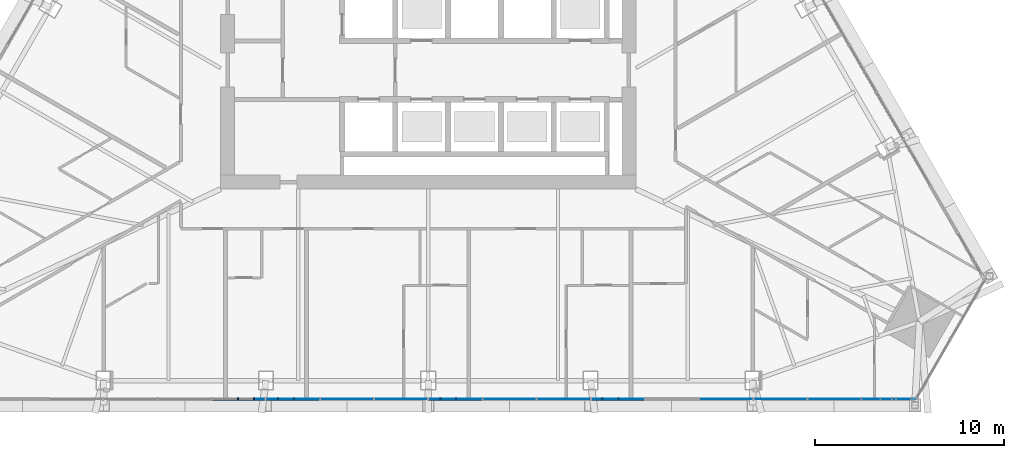
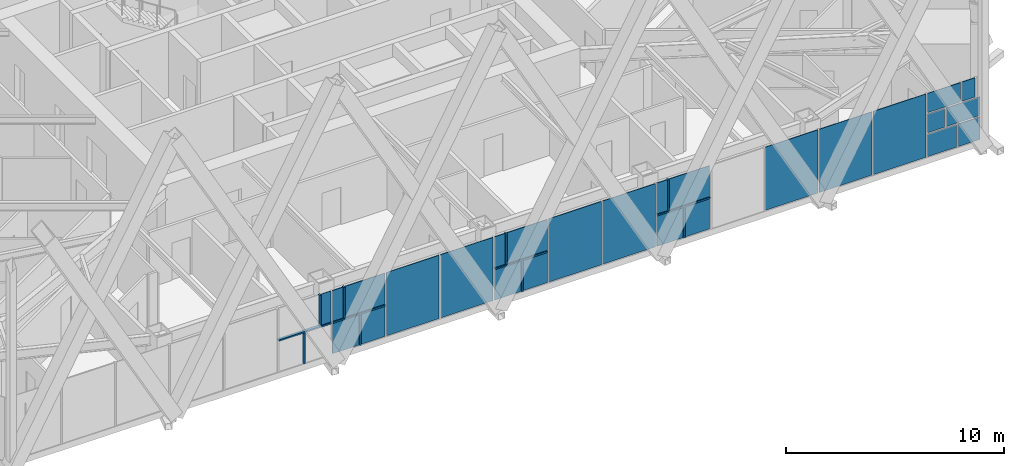
# One storey, part 6 of 23: 26 plates, 12 members, 2 openings, 1 element without a shape of its own.
"""IFC4 building model written with IfcOpenShell, lengths in metres."""

from ifc_helpers import new_model, si_unit, direction, frame, frame_2d, origin, origin_2d, place, context, subcontext, project, spatial, polyline, rectangle, outline, extrude, material, layer, layer_set, material_profile, profile_set, type_object, element, aggregate, save


model = new_model("IFC4")

# Units and contexts
model_context = context("Model", 3, precision=1e-05, world=origin(), true_north=direction((0.0, 1.0)))
body_context = subcontext(model_context, "Body", "Model", "MODEL_VIEW")
ifc_project = project(units=[si_unit("LENGTHUNIT", "METRE"), si_unit("AREAUNIT", "SQUARE_METRE"), si_unit("VOLUMEUNIT", "CUBIC_METRE"), si_unit("PLANEANGLEUNIT", "RADIAN"), si_unit("MASSUNIT", "GRAM", prefix="KILO")], contexts=[model_context])

# Site, building, storey
site_placement = place(None, origin())
site = spatial("IfcSite", under=ifc_project, at=site_placement, CompositionType="ELEMENT")
building_placement = place(site_placement, origin())
building = spatial("IfcBuilding", under=site, at=building_placement, Name="Firuza Gate Tower and Library", CompositionType="ELEMENT")
storey_placement = place(building_placement, frame((0.0, 0.0, 202.60009765625)))
storey = spatial("IfcBuildingStorey", under=building, at=storey_placement, Name="L47", CompositionType="ELEMENT", Elevation=202.60009765625)

# Curtain wall, openings, members, plates
ifc_material_1 = material(Name="Aluminium 6063-T6", Category="aluminium")
ifc_layer_1 = layer(ifc_material_1, 0.14990234375)
ifc_layer_set_1 = layer_set([ifc_layer_1], Name="Unitised curtain wall, hotel")
curtain_wall_type = type_object("IfcCurtainWallType", Name="Unitised curtain wall, hotel", PredefinedType="NOTDEFINED", material=ifc_layer_set_1)
curtain_wall_placement = place(storey_placement, origin())
curtain_wall = element("IfcCurtainWall", 1, at=curtain_wall_placement, inside=storey, type_object=curtain_wall_type, Name="CW2 L47 S face", PredefinedType="NOTDEFINED")
opening_1_placement = place(curtain_wall_placement, frame((52.0849609375, 55.88330078125, 0.14990234375), z_axis=(0.0, 0.0, 1.0), x_axis=(1.0, 0.0, 0.0)))
element("IfcOpeningElement", 2, at=opening_1_placement, cuts=curtain_wall, Name="Opening WD1-003", PredefinedType="OPENING", context=body_context, shape_type="SweptSolid", body=[
    extrude(rectangle(XDim=2.789306640625, YDim=3.550048828125, at=frame_2d((1.39453125, 1.77490234375))), frame((0.0, 0.0849609375, 0.0), z_axis=(0.0, -1.0, 0.0), x_axis=(1.0, 0.0, 0.0)), (0.0, 0.0, 1.0), 0.169921875),
])
opening_2_placement = place(curtain_wall_placement, frame((86.517578125, 55.88330078125, 0.14990234375), z_axis=(0.0, 0.0, 1.0), x_axis=(1.0, 0.0, 0.0)))
element("IfcOpeningElement", 3, at=opening_2_placement, cuts=curtain_wall, Name="Opening WD1-004", PredefinedType="OPENING", context=body_context, shape_type="SweptSolid", body=[
    extrude(rectangle(XDim=2.789306640625, YDim=3.550048828125, at=frame_2d((1.39453125, 1.77490234375))), frame((0.0, 0.0849609375, 0.0), z_axis=(0.0, -1.0, 0.0), x_axis=(1.0, 0.0, 0.0)), (0.0, 0.0, 1.0), 0.169921875),
])
ifc_material_2 = material(Name="Aluminium 6063-T6", Category="aluminium")
ifc_material_profile_1 = material_profile(ifc_material_2, rectangle(XDim=0.14990234375, YDim=0.080078125, at=origin_2d()))
ifc_profile_set_1 = profile_set([ifc_material_profile_1], Name="Aluminium 6063-T6")
member_type_1 = type_object("IfcMemberType", Name="Curtain wall mullion 80x150", PredefinedType="MULLION", material=ifc_profile_set_1)
member_1_placement = place(storey_placement, frame((64.92333984375, 55.88330078125, 0.14990234375), z_axis=(0.0, 0.0, 1.0), x_axis=(0.0, 1.0, 0.0)))
member_1 = element("IfcMember", 4, at=member_1_placement, type_object=member_type_1, Name="Mullion", PredefinedType="MULLION", context=body_context, shape_type="SweptSolid", body=[
    extrude(rectangle(XDim=0.14990234375, YDim=0.080078125, at=origin_2d()), origin(), (0.0, 0.0, 1.0), 1.735107421875),
])
member_2_placement = place(storey_placement, frame((65.768310546875, 55.88330078125, 1.96484375), z_axis=(0.0, 0.0, 1.0), x_axis=(0.0, 1.0, 0.0)))
member_2 = element("IfcMember", 5, at=member_2_placement, type_object=member_type_1, Name="Mullion", PredefinedType="MULLION", context=body_context, shape_type="SweptSolid", body=[
    extrude(rectangle(XDim=0.14990234375, YDim=0.080078125, at=origin_2d()), origin(), (0.0, 0.0, 1.0), 1.735107421875),
])
member_3_placement = place(storey_placement, frame((67.88916015625, 55.88330078125, 0.14990234375), z_axis=(0.0, 0.0, 1.0), x_axis=(0.0, 1.0, 0.0)))
member_3 = element("IfcMember", 6, at=member_3_placement, type_object=member_type_1, Name="Mullion", PredefinedType="MULLION", context=body_context, shape_type="SweptSolid", body=[
    extrude(rectangle(XDim=0.14990234375, YDim=0.080078125, at=origin_2d()), origin(), (0.0, 0.0, 1.0), 1.735107421875),
])
member_4_placement = place(storey_placement, frame((67.044189453125, 55.88330078125, 1.96484375), z_axis=(0.0, 0.0, 1.0), x_axis=(0.0, 1.0, 0.0)))
member_4 = element("IfcMember", 7, at=member_4_placement, type_object=member_type_1, Name="Mullion", PredefinedType="MULLION", context=body_context, shape_type="SweptSolid", body=[
    extrude(rectangle(XDim=0.14990234375, YDim=0.080078125, at=origin_2d()), origin(), (0.0, 0.0, 1.0), 1.735107421875),
])
member_5_placement = place(storey_placement, frame((76.48291015625, 55.88330078125, 0.14990234375), z_axis=(0.0, 0.0, 1.0), x_axis=(0.0, 1.0, 0.0)))
member_5 = element("IfcMember", 8, at=member_5_placement, type_object=member_type_1, Name="Mullion", PredefinedType="MULLION", context=body_context, shape_type="SweptSolid", body=[
    extrude(rectangle(XDim=0.14990234375, YDim=0.080078125, at=origin_2d()), origin(), (0.0, 0.0, 1.0), 1.735107421875),
])
member_6_placement = place(storey_placement, frame((75.637939453125, 55.88330078125, 1.96484375), z_axis=(0.0, 0.0, 1.0), x_axis=(0.0, 1.0, 0.0)))
member_6 = element("IfcMember", 9, at=member_6_placement, type_object=member_type_1, Name="Mullion", PredefinedType="MULLION", context=body_context, shape_type="SweptSolid", body=[
    extrude(rectangle(XDim=0.14990234375, YDim=0.080078125, at=origin_2d()), origin(), (0.0, 0.0, 1.0), 1.735107421875),
])
member_7_placement = place(storey_placement, frame((85.07666015625, 55.88330078125, 0.14990234375), z_axis=(0.0, 0.0, 1.0), x_axis=(0.0, 1.0, 0.0)))
member_7 = element("IfcMember", 10, at=member_7_placement, type_object=member_type_1, Name="Mullion", PredefinedType="MULLION", context=body_context, shape_type="SweptSolid", body=[
    extrude(rectangle(XDim=0.14990234375, YDim=0.080078125, at=origin_2d()), origin(), (0.0, 0.0, 1.0), 1.735107421875),
])
member_8_placement = place(storey_placement, frame((84.231689453125, 55.88330078125, 1.96484375), z_axis=(0.0, 0.0, 1.0), x_axis=(0.0, 1.0, 0.0)))
member_8 = element("IfcMember", 11, at=member_8_placement, type_object=member_type_1, Name="Mullion", PredefinedType="MULLION", context=body_context, shape_type="SweptSolid", body=[
    extrude(rectangle(XDim=0.14990234375, YDim=0.080078125, at=origin_2d()), origin(), (0.0, 0.0, 1.0), 1.735107421875),
])
ifc_material_3 = material(Name="Aluminium 6063-T6", Category="aluminium")
ifc_material_profile_2 = material_profile(ifc_material_3, rectangle(XDim=0.14990234375, YDim=0.080078125, at=origin_2d()))
ifc_profile_set_2 = profile_set([ifc_material_profile_2], Name="Aluminium 6063-T6")
member_type_2 = type_object("IfcMemberType", Name="Curtain wall transom 80x150", PredefinedType="USERDEFINED", material=ifc_profile_set_2)
member_9_placement = place(storey_placement, frame((63.5625, 55.88330078125, 1.9248046875), z_axis=(1.0, 0.0, 0.0), x_axis=(0.0, 1.0, 0.0)))
member_9 = element("IfcMember", 12, at=member_9_placement, type_object=member_type_2, Name="Transom", ObjectType="TRANSOM", PredefinedType="USERDEFINED", context=body_context, shape_type="SweptSolid", body=[
    extrude(rectangle(XDim=0.14990234375, YDim=0.080078125, at=origin_2d()), origin(), (0.0, 0.0, 1.0), 2.789306640625),
])
member_10_placement = place(storey_placement, frame((66.431884765625, 55.88330078125, 1.9248046875), z_axis=(1.0, 0.0, 0.0), x_axis=(0.0, 1.0, 0.0)))
member_10 = element("IfcMember", 13, at=member_10_placement, type_object=member_type_2, Name="Transom", ObjectType="TRANSOM", PredefinedType="USERDEFINED", context=body_context, shape_type="SweptSolid", body=[
    extrude(rectangle(XDim=0.14990234375, YDim=0.080078125, at=origin_2d()), origin(), (0.0, 0.0, 1.0), 2.789306640625),
])
member_11_placement = place(storey_placement, frame((75.0400390625, 55.88330078125, 1.9248046875), z_axis=(1.0, 0.0, 0.0), x_axis=(0.0, 1.0, 0.0)))
member_11 = element("IfcMember", 14, at=member_11_placement, type_object=member_type_2, Name="Transom", ObjectType="TRANSOM", PredefinedType="USERDEFINED", context=body_context, shape_type="SweptSolid", body=[
    extrude(rectangle(XDim=0.14990234375, YDim=0.080078125, at=origin_2d()), origin(), (0.0, 0.0, 1.0), 2.789306640625),
])
member_12_placement = place(storey_placement, frame((83.648193359375, 55.88330078125, 1.9248046875), z_axis=(1.0, 0.0, 0.0), x_axis=(0.0, 1.0, 0.0)))
member_12 = element("IfcMember", 15, at=member_12_placement, type_object=member_type_2, Name="Transom", ObjectType="TRANSOM", PredefinedType="USERDEFINED", context=body_context, shape_type="SweptSolid", body=[
    extrude(rectangle(XDim=0.14990234375, YDim=0.080078125, at=origin_2d()), origin(), (0.0, 0.0, 1.0), 2.789306640625),
])
ifc_material_4 = material(Name="Fritted glass", Category="glass")
ifc_layer_2 = layer(ifc_material_4, 0.030029296875)
ifc_layer_set_2 = layer_set([ifc_layer_2], Name="Fritted glass unit, hotel")
plate_type_1 = type_object("IfcPlateType", Name="Fritted glass unit, hotel", PredefinedType="CURTAIN_PANEL", material=ifc_layer_set_2)
plate_1_placement = place(storey_placement, frame((65.808349609375, 55.868408203125, 1.96484375), z_axis=(0.0, -1.0, 0.0), x_axis=(1.0, 0.0, 0.0)))
plate_1 = element("IfcPlate", 16, at=plate_1_placement, type_object=plate_type_1, Name="Glass unit", PredefinedType="CURTAIN_PANEL", context=body_context, shape_type="SweptSolid", body=[
    extrude(outline(polyline([(0.0, 0.0), (0.54345703125, 0.0), (0.54345703125, 1.735107421875), (0.0, 1.735107421875), (0.0, 0.0)])), origin(), (0.0, 0.0, -1.0), 0.030029296875),
])
plate_2_placement = place(storey_placement, frame((67.92919921875, 55.868408203125, 0.14990234375), z_axis=(0.0, -1.0, 0.0), x_axis=(1.0, 0.0, 0.0)))
plate_2 = element("IfcPlate", 17, at=plate_2_placement, type_object=plate_type_1, Name="Glass unit", PredefinedType="CURTAIN_PANEL", context=body_context, shape_type="SweptSolid", body=[
    extrude(outline(polyline([(0.0, 0.0), (1.2919921875, 0.0), (1.2919921875, 1.735107421875), (0.0, 1.735107421875), (0.0, 0.0)])), origin(), (0.0, 0.0, -1.0), 0.030029296875),
])
plate_3_placement = place(storey_placement, frame((66.431884765625, 55.868408203125, 1.96484375), z_axis=(0.0, -1.0, 0.0), x_axis=(1.0, 0.0, 0.0)))
plate_3 = element("IfcPlate", 18, at=plate_3_placement, type_object=plate_type_1, Name="Glass unit", PredefinedType="CURTAIN_PANEL", context=body_context, shape_type="SweptSolid", body=[
    extrude(outline(polyline([(0.0, 0.0), (0.572265625, 0.0), (0.572265625, 1.735107421875), (0.0, 1.735107421875), (0.0, 0.0)])), origin(), (0.0, 0.0, -1.0), 0.030029296875),
])
plate_4_placement = place(storey_placement, frame((69.30126953125, 55.868408203125, 0.14990234375), z_axis=(0.0, -1.0, 0.0), x_axis=(1.0, 0.0, 0.0)))
plate_4 = element("IfcPlate", 19, at=plate_4_placement, type_object=plate_type_1, Name="Glass unit", PredefinedType="CURTAIN_PANEL", context=body_context, shape_type="SweptSolid", body=[
    extrude(outline(polyline([(0.0, 0.0), (2.789306640625, 0.0), (2.789306640625, 3.550048828125), (0.0, 3.550048828125), (0.0, 0.0)])), origin(), (0.0, 0.0, -1.0), 0.030029296875),
])
plate_5_placement = place(storey_placement, frame((76.52294921875, 55.868408203125, 0.14990234375), z_axis=(0.0, -1.0, 0.0), x_axis=(1.0, 0.0, 0.0)))
plate_5 = element("IfcPlate", 20, at=plate_5_placement, type_object=plate_type_1, Name="Glass unit", PredefinedType="CURTAIN_PANEL", context=body_context, shape_type="SweptSolid", body=[
    extrude(outline(polyline([(0.0, 0.0), (1.306396484375, 0.0), (1.306396484375, 1.735107421875), (0.0, 1.735107421875), (0.0, 0.0)])), origin(), (0.0, 0.0, -1.0), 0.030029296875),
])
plate_6_placement = place(storey_placement, frame((75.0400390625, 55.868408203125, 1.96484375), z_axis=(0.0, -1.0, 0.0), x_axis=(1.0, 0.0, 0.0)))
plate_6 = element("IfcPlate", 21, at=plate_6_placement, type_object=plate_type_1, Name="Glass unit", PredefinedType="CURTAIN_PANEL", context=body_context, shape_type="SweptSolid", body=[
    extrude(outline(polyline([(0.0, 0.0), (0.557861328125, 0.0), (0.557861328125, 1.735107421875), (0.0, 1.735107421875), (0.0, 0.0)])), origin(), (0.0, 0.0, -1.0), 0.030029296875),
])
plate_7_placement = place(storey_placement, frame((77.909423828125, 55.868408203125, 0.14990234375), z_axis=(0.0, -1.0, 0.0), x_axis=(1.0, 0.0, 0.0)))
plate_7 = element("IfcPlate", 22, at=plate_7_placement, type_object=plate_type_1, Name="Glass unit", PredefinedType="CURTAIN_PANEL", context=body_context, shape_type="SweptSolid", body=[
    extrude(outline(polyline([(0.0, 0.0), (2.789306640625, 0.0), (2.789306640625, 3.550048828125), (0.0, 3.550048828125), (0.0, 0.0)])), origin(), (0.0, 0.0, -1.0), 0.030029296875),
])
plate_8_placement = place(storey_placement, frame((85.11669921875, 55.868408203125, 0.14990234375), z_axis=(0.0, -1.0, 0.0), x_axis=(1.0, 0.0, 0.0)))
plate_8 = element("IfcPlate", 23, at=plate_8_placement, type_object=plate_type_1, Name="Glass unit", PredefinedType="CURTAIN_PANEL", context=body_context, shape_type="SweptSolid", body=[
    extrude(outline(polyline([(0.0, 0.0), (1.32080078125, 0.0), (1.32080078125, 1.735107421875), (0.0, 1.735107421875), (0.0, 0.0)])), origin(), (0.0, 0.0, -1.0), 0.030029296875),
])
plate_9_placement = place(storey_placement, frame((83.648193359375, 55.868408203125, 1.96484375), z_axis=(0.0, -1.0, 0.0), x_axis=(1.0, 0.0, 0.0)))
plate_9 = element("IfcPlate", 24, at=plate_9_placement, type_object=plate_type_1, Name="Glass unit", PredefinedType="CURTAIN_PANEL", context=body_context, shape_type="SweptSolid", body=[
    extrude(outline(polyline([(0.0, 0.0), (0.54345703125, 0.0), (0.54345703125, 1.735107421875), (0.0, 1.735107421875), (0.0, 0.0)])), origin(), (0.0, 0.0, -1.0), 0.030029296875),
])
plate_10_placement = place(storey_placement, frame((95.125732421875, 55.868408203125, 0.14990234375), z_axis=(0.0, -1.0, 0.0), x_axis=(1.0, 0.0, 0.0)))
plate_10 = element("IfcPlate", 25, at=plate_10_placement, type_object=plate_type_1, Name="Glass unit", PredefinedType="CURTAIN_PANEL", context=body_context, shape_type="SweptSolid", body=[
    extrude(outline(polyline([(0.0, 0.0), (2.789306640625, 0.0), (2.789306640625, 3.550048828125), (0.0, 3.550048828125), (0.0, 0.0)])), origin(), (0.0, 0.0, -1.0), 0.030029296875),
])
plate_11_placement = place(storey_placement, frame((97.9951171875, 55.868408203125, 0.14990234375), z_axis=(0.0, -1.0, 0.0), x_axis=(1.0, 0.0, 0.0)))
plate_11 = element("IfcPlate", 26, at=plate_11_placement, type_object=plate_type_1, Name="Glass unit", PredefinedType="CURTAIN_PANEL", context=body_context, shape_type="SweptSolid", body=[
    extrude(outline(polyline([(0.0, 0.0), (1.524658203125, 0.0), (1.524658203125, 1.260009765625), (0.0, 1.260009765625), (0.0, 0.0)])), origin(), (0.0, 0.0, -1.0), 0.030029296875),
])
plate_12_placement = place(storey_placement, frame((97.9951171875, 55.868408203125, 1.489990234375), z_axis=(0.0, -1.0, 0.0), x_axis=(1.0, 0.0, 0.0)))
plate_12 = element("IfcPlate", 27, at=plate_12_placement, type_object=plate_type_1, Name="Glass unit", PredefinedType="CURTAIN_PANEL", context=body_context, shape_type="SweptSolid", body=[
    extrude(outline(polyline([(0.0, 0.0), (0.905029296875, 0.0), (0.905029296875, 1.044921875), (0.0, 1.044921875), (0.0, 0.0)])), origin(), (0.0, 0.0, -1.0), 0.030029296875),
])
plate_13_placement = place(storey_placement, frame((99.8251953125, 55.868408203125, 2.614990234375), z_axis=(0.0, -1.0, 0.0), x_axis=(1.0, 0.0, 0.0)))
plate_13 = element("IfcPlate", 28, at=plate_13_placement, type_object=plate_type_1, Name="Glass unit", PredefinedType="CURTAIN_PANEL", context=body_context, shape_type="SweptSolid", body=[
    extrude(outline(polyline([(0.0, 0.0), (0.693115234375, 0.0), (0.693115234375, 1.0849609375), (0.0, 1.0849609375), (0.0, 0.0)])), origin(), (0.0, 0.0, -1.0), 0.030029296875),
])
ifc_material_5 = material(Name="Glazed ceramic tile")
ifc_layer_3 = layer(ifc_material_5, 0.030029296875)
ifc_layer_set_3 = layer_set([ifc_layer_3], Name="Opaque ceramic panel, hotel")
plate_type_2 = type_object("IfcPlateType", Name="Opaque ceramic panel, hotel", PredefinedType="CURTAIN_PANEL", material=ifc_layer_set_3)
plate_14_placement = place(storey_placement, frame((66.431884765625, 55.868408203125, 0.14990234375), z_axis=(0.0, -1.0, 0.0), x_axis=(1.0, 0.0, 0.0)))
plate_14 = element("IfcPlate", 29, at=plate_14_placement, type_object=plate_type_2, Name="Opaque ceramic panel", PredefinedType="CURTAIN_PANEL", context=body_context, shape_type="SweptSolid", body=[
    extrude(outline(polyline([(0.0, 0.0), (1.41748046875, 0.0), (1.41748046875, 1.735107421875), (0.0, 1.735107421875), (0.0, 0.0)])), origin(), (0.0, 0.0, -1.0), 0.030029296875),
])
plate_15_placement = place(storey_placement, frame((67.084228515625, 55.868408203125, 1.96484375), z_axis=(0.0, -1.0, 0.0), x_axis=(1.0, 0.0, 0.0)))
plate_15 = element("IfcPlate", 30, at=plate_15_placement, type_object=plate_type_2, Name="Opaque ceramic panel", PredefinedType="CURTAIN_PANEL", context=body_context, shape_type="SweptSolid", body=[
    extrude(outline(polyline([(0.0, 0.0), (2.136962890625, 0.0), (2.136962890625, 1.735107421875), (0.0, 1.735107421875), (0.0, 0.0)])), origin(), (0.0, 0.0, -1.0), 0.030029296875),
])
plate_16_placement = place(storey_placement, frame((72.170654296875, 55.868408203125, 0.14990234375), z_axis=(0.0, -1.0, 0.0), x_axis=(1.0, 0.0, 0.0)))
plate_16 = element("IfcPlate", 31, at=plate_16_placement, type_object=plate_type_2, Name="Opaque ceramic panel", PredefinedType="CURTAIN_PANEL", context=body_context, shape_type="SweptSolid", body=[
    extrude(outline(polyline([(0.0, 0.0), (2.789306640625, 0.0), (2.789306640625, 3.550048828125), (0.0, 3.550048828125), (0.0, 0.0)])), origin(), (0.0, 0.0, -1.0), 0.030029296875),
])
plate_17_placement = place(storey_placement, frame((75.0400390625, 55.868408203125, 0.14990234375), z_axis=(0.0, -1.0, 0.0), x_axis=(1.0, 0.0, 0.0)))
plate_17 = element("IfcPlate", 32, at=plate_17_placement, type_object=plate_type_2, Name="Opaque ceramic panel", PredefinedType="CURTAIN_PANEL", context=body_context, shape_type="SweptSolid", body=[
    extrude(outline(polyline([(0.0, 0.0), (1.403076171875, 0.0), (1.403076171875, 1.735107421875), (0.0, 1.735107421875), (0.0, 0.0)])), origin(), (0.0, 0.0, -1.0), 0.030029296875),
])
plate_18_placement = place(storey_placement, frame((75.677978515625, 55.868408203125, 1.96484375), z_axis=(0.0, -1.0, 0.0), x_axis=(1.0, 0.0, 0.0)))
plate_18 = element("IfcPlate", 33, at=plate_18_placement, type_object=plate_type_2, Name="Opaque ceramic panel", PredefinedType="CURTAIN_PANEL", context=body_context, shape_type="SweptSolid", body=[
    extrude(outline(polyline([(0.0, 0.0), (2.1513671875, 0.0), (2.1513671875, 1.735107421875), (0.0, 1.735107421875), (0.0, 0.0)])), origin(), (0.0, 0.0, -1.0), 0.030029296875),
])
plate_19_placement = place(storey_placement, frame((80.77880859375, 55.868408203125, 0.14990234375), z_axis=(0.0, -1.0, 0.0), x_axis=(1.0, 0.0, 0.0)))
plate_19 = element("IfcPlate", 34, at=plate_19_placement, type_object=plate_type_2, Name="Opaque ceramic panel", PredefinedType="CURTAIN_PANEL", context=body_context, shape_type="SweptSolid", body=[
    extrude(outline(polyline([(0.0, 0.0), (2.789306640625, 0.0), (2.789306640625, 3.550048828125), (0.0, 3.550048828125), (0.0, 0.0)])), origin(), (0.0, 0.0, -1.0), 0.030029296875),
])
plate_20_placement = place(storey_placement, frame((83.648193359375, 55.868408203125, 0.14990234375), z_axis=(0.0, -1.0, 0.0), x_axis=(1.0, 0.0, 0.0)))
plate_20 = element("IfcPlate", 35, at=plate_20_placement, type_object=plate_type_2, Name="Opaque ceramic panel", PredefinedType="CURTAIN_PANEL", context=body_context, shape_type="SweptSolid", body=[
    extrude(outline(polyline([(0.0, 0.0), (1.388427734375, 0.0), (1.388427734375, 1.735107421875), (0.0, 1.735107421875), (0.0, 0.0)])), origin(), (0.0, 0.0, -1.0), 0.030029296875),
])
plate_21_placement = place(storey_placement, frame((84.271728515625, 55.868408203125, 1.96484375), z_axis=(0.0, -1.0, 0.0), x_axis=(1.0, 0.0, 0.0)))
plate_21 = element("IfcPlate", 36, at=plate_21_placement, type_object=plate_type_2, Name="Opaque ceramic panel", PredefinedType="CURTAIN_PANEL", context=body_context, shape_type="SweptSolid", body=[
    extrude(outline(polyline([(0.0, 0.0), (2.165771484375, 0.0), (2.165771484375, 1.735107421875), (0.0, 1.735107421875), (0.0, 0.0)])), origin(), (0.0, 0.0, -1.0), 0.030029296875),
])
plate_22_placement = place(storey_placement, frame((89.386962890625, 55.868408203125, 0.14990234375), z_axis=(0.0, -1.0, 0.0), x_axis=(1.0, 0.0, 0.0)))
plate_22 = element("IfcPlate", 37, at=plate_22_placement, type_object=plate_type_2, Name="Opaque ceramic panel", PredefinedType="CURTAIN_PANEL", context=body_context, shape_type="SweptSolid", body=[
    extrude(outline(polyline([(0.0, 0.0), (2.789306640625, 0.0), (2.789306640625, 3.550048828125), (0.0, 3.550048828125), (0.0, 0.0)])), origin(), (0.0, 0.0, -1.0), 0.030029296875),
])
plate_23_placement = place(storey_placement, frame((92.25634765625, 55.868408203125, 0.14990234375), z_axis=(0.0, -1.0, 0.0), x_axis=(1.0, 0.0, 0.0)))
plate_23 = element("IfcPlate", 38, at=plate_23_placement, type_object=plate_type_2, Name="Opaque ceramic panel", PredefinedType="CURTAIN_PANEL", context=body_context, shape_type="SweptSolid", body=[
    extrude(outline(polyline([(0.0, 0.0), (2.789306640625, 0.0), (2.789306640625, 3.550048828125), (0.0, 3.550048828125), (0.0, 0.0)])), origin(), (0.0, 0.0, -1.0), 0.030029296875),
])
plate_24_placement = place(storey_placement, frame((99.599853515625, 55.868408203125, 0.14990234375), z_axis=(0.0, -1.0, 0.0), x_axis=(1.0, 0.0, 0.0)))
plate_24 = element("IfcPlate", 39, at=plate_24_placement, type_object=plate_type_2, Name="Opaque ceramic panel", PredefinedType="CURTAIN_PANEL", context=body_context, shape_type="SweptSolid", body=[
    extrude(outline(polyline([(0.0, 0.0), (1.1845703125, 0.0), (1.1845703125, 1.260009765625), (0.0, 1.260009765625), (0.0, 0.0)])), origin(), (0.0, 0.0, -1.0), 0.030029296875),
])
plate_25_placement = place(storey_placement, frame((98.980224609375, 55.868408203125, 1.489990234375), z_axis=(0.0, -1.0, 0.0), x_axis=(1.0, 0.0, 0.0)))
plate_25 = element("IfcPlate", 40, at=plate_25_placement, type_object=plate_type_2, Name="Opaque ceramic panel", PredefinedType="CURTAIN_PANEL", context=body_context, shape_type="SweptSolid", body=[
    extrude(outline(polyline([(0.0, 0.0), (1.80419921875, 0.0), (1.80419921875, 1.044921875), (0.0, 1.044921875), (0.0, 0.0)])), origin(), (0.0, 0.0, -1.0), 0.030029296875),
])
plate_26_placement = place(storey_placement, frame((97.9951171875, 55.868408203125, 2.614990234375), z_axis=(0.0, -1.0, 0.0), x_axis=(1.0, 0.0, 0.0)))
plate_26 = element("IfcPlate", 41, at=plate_26_placement, type_object=plate_type_2, Name="Opaque ceramic panel", PredefinedType="CURTAIN_PANEL", context=body_context, shape_type="SweptSolid", body=[
    extrude(outline(polyline([(0.0, 0.0), (1.750244140625, 0.0), (1.750244140625, 1.0849609375), (0.0, 1.0849609375), (0.0, 0.0)])), origin(), (0.0, 0.0, -1.0), 0.030029296875),
])
aggregate(curtain_wall, [plate_1, member_1, member_2, member_9, plate_14, plate_2, plate_3, plate_15, member_3, member_4, member_10, plate_4, plate_16, plate_17, plate_5, plate_6, plate_18, member_5, member_6, member_11, plate_7, plate_19, plate_20, plate_8, plate_9, plate_21, member_7, member_8, member_12, plate_22, plate_23, plate_10, plate_11, plate_24, plate_12, plate_25, plate_26, plate_13])

save(model, "model.ifc")
